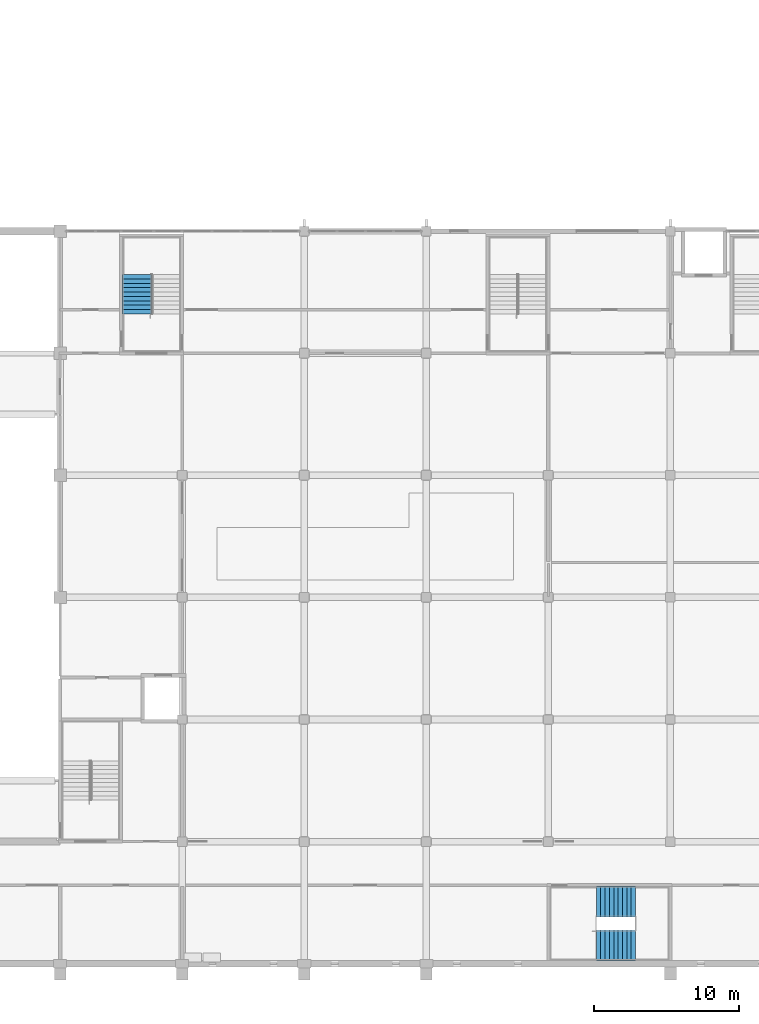
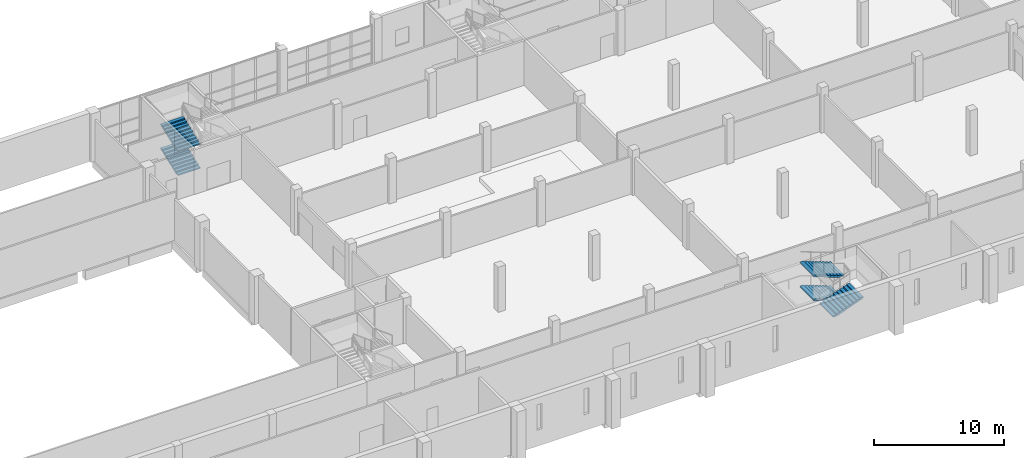
# One storey, part 45 of 64: 5 stair flights, 2 elements without a shape of their own.
"""IFC4 building model written with IfcOpenShell, lengths in metres."""

from ifc_helpers import new_model, si_unit, direction, frame, origin, place, context, subcontext, project, spatial, faceted_brep, material, type_object, element, aggregate, save


model = new_model("IFC4")

# Units and contexts
model_context = context("Model", 3, precision=1e-05, world=origin(), true_north=direction((0.0, 1.0)))
body_context = subcontext(model_context, "Body", "Model", "MODEL_VIEW")
ifc_project = project(units=[si_unit("LENGTHUNIT", "METRE"), si_unit("AREAUNIT", "SQUARE_METRE"), si_unit("VOLUMEUNIT", "CUBIC_METRE"), si_unit("PLANEANGLEUNIT", "RADIAN"), si_unit("MASSUNIT", "GRAM", prefix="KILO")], contexts=[model_context])

# Site, building, storey
site_placement = place(None, origin())
site = spatial("IfcSite", under=ifc_project, at=site_placement, CompositionType="ELEMENT")
building_placement = place(site_placement, origin())
building = spatial("IfcBuilding", under=site, at=building_placement, Name="Rulbaag Community and Learning Centre", CompositionType="ELEMENT")
storey_placement = place(building_placement, frame((0.0, 0.0, 5.39990234375)))
storey = spatial("IfcBuildingStorey", under=building, at=storey_placement, Name="L01", CompositionType="ELEMENT", Elevation=5.39990234375)

# Stair, stair flights
ifc_material = material(Name="Concrete M40", Category="concrete")
stair_type_1 = type_object("IfcStairType", Name="ST-2000 STAIR 2000 WIDE", PredefinedType="HALF_TURN_STAIR", material=ifc_material)
stair_1_placement = place(storey_placement, origin())
stair_1 = element("IfcStair", 1, at=stair_1_placement, inside=storey, type_object=stair_type_1, Name="Stair ST-H6 L01", PredefinedType="HALF_TURN_STAIR")
stair_flight_type_1 = type_object("IfcStairFlightType", Name="FL-2000 FLIGHT 2000 WIDE Concrete M40", PredefinedType="STRAIGHT", material=ifc_material)
stair_flight_1_placement = place(storey_placement, frame((89.300048828125, 44.71240234375, 0.0), z_axis=(0.0, 0.0, 1.0), x_axis=(0.0, 1.0, 0.0)))
stair_flight_1 = element("IfcStairFlight", 2, at=stair_flight_1_placement, type_object=stair_flight_type_1, Name="ST-H6 flight 1", NumberOfRisers=10, NumberOfTreads=9, PredefinedType="STRAIGHT", RiserHeight=0.1125, TreadLength=0.3, context=body_context, shape_type="Brep", body=[
    faceted_brep([(0.3984375, -1.0, 0.0), (2.699951171875, -1.0, 0.863037109375), (2.699951171875, -1.0, 1.012451171875), (2.39990234375, -1.0, 1.012451171875), (2.39990234375, -1.0, 0.89990234375), (2.10009765625, -1.0, 0.89990234375), (2.10009765625, -1.0, 0.78759765625), (1.800048828125, -1.0, 0.78759765625), (1.800048828125, -1.0, 0.675048828125), (1.5, -1.0, 0.675048828125), (1.5, -1.0, 0.5625), (1.199951171875, -1.0, 0.5625), (1.199951171875, -1.0, 0.449951171875), (0.89990234375, -1.0, 0.449951171875), (0.89990234375, -1.0, 0.33740234375), (0.60009765625, -1.0, 0.33740234375), (0.60009765625, -1.0, 0.22509765625), (0.300048828125, -1.0, 0.22509765625), (0.300048828125, -1.0, 0.112548828125), (0.0, -1.0, 0.112548828125), (0.0, -1.0, 0.0), (0.0, 1.0, 0.0), (0.0, 1.0, 0.112548828125), (0.300048828125, 1.0, 0.112548828125), (0.300048828125, 1.0, 0.22509765625), (0.60009765625, 1.0, 0.22509765625), (0.60009765625, 1.0, 0.33740234375), (0.89990234375, 1.0, 0.33740234375), (0.89990234375, 1.0, 0.449951171875), (1.199951171875, 1.0, 0.449951171875), (1.199951171875, 1.0, 0.5625), (1.5, 1.0, 0.5625), (1.5, 1.0, 0.675048828125), (1.800048828125, 1.0, 0.675048828125), (1.800048828125, 1.0, 0.78759765625), (2.10009765625, 1.0, 0.78759765625), (2.10009765625, 1.0, 0.89990234375), (2.39990234375, 1.0, 0.89990234375), (2.39990234375, 1.0, 1.012451171875), (2.699951171875, 1.0, 1.012451171875), (2.699951171875, 1.0, 0.863037109375), (0.3984375, 1.0, 0.0), (0.0, -0.333251953125, 0.112548828125), (0.0, -0.333251953125, 0.0), (0.0, 0.333251953125, 0.112548828125), (0.0, 0.333251953125, 0.0), (0.300048828125, -0.333251953125, 0.112548828125), (0.300048828125, 0.333251953125, 0.112548828125), (0.300048828125, -0.333251953125, 0.22509765625), (0.300048828125, 0.333251953125, 0.22509765625), (0.60009765625, -0.333251953125, 0.22509765625), (0.60009765625, 0.333251953125, 0.22509765625), (0.60009765625, -0.333251953125, 0.33740234375), (0.60009765625, 0.333251953125, 0.33740234375), (0.89990234375, -0.333251953125, 0.33740234375), (0.89990234375, 0.333251953125, 0.33740234375), (0.89990234375, -0.333251953125, 0.449951171875), (0.89990234375, 0.333251953125, 0.449951171875), (1.199951171875, -0.333251953125, 0.449951171875), (1.199951171875, 0.333251953125, 0.449951171875), (1.199951171875, -0.333251953125, 0.5625), (1.199951171875, 0.333251953125, 0.5625), (1.5, -0.333251953125, 0.5625), (1.5, 0.333251953125, 0.5625), (1.5, -0.333251953125, 0.675048828125), (1.5, 0.333251953125, 0.675048828125), (1.800048828125, -0.333251953125, 0.675048828125), (1.800048828125, 0.333251953125, 0.675048828125), (1.800048828125, -0.333251953125, 0.78759765625), (1.800048828125, 0.333251953125, 0.78759765625), (2.10009765625, -0.333251953125, 0.78759765625), (2.10009765625, 0.333251953125, 0.78759765625), (2.10009765625, -0.333251953125, 0.89990234375), (2.10009765625, 0.333251953125, 0.89990234375), (2.39990234375, -0.333251953125, 0.89990234375), (2.39990234375, 0.333251953125, 0.89990234375), (2.39990234375, -0.333251953125, 1.012451171875), (2.39990234375, 0.333251953125, 1.012451171875), (2.699951171875, -0.333251953125, 1.012451171875), (2.699951171875, 0.333251953125, 1.012451171875), (2.699951171875, -0.333251953125, 0.863037109375), (2.699951171875, 0.333251953125, 0.863037109375), (0.3984375, -0.333251953125, 0.0), (0.3984375, 0.333251953125, 0.0)], [[[0, 1, 2, 3, 4, 5, 6, 7, 8, 9, 10, 11, 12, 13, 14, 15, 16, 17, 18, 19, 20]], [[21, 22, 23, 24, 25, 26, 27, 28, 29, 30, 31, 32, 33, 34, 35, 36, 37, 38, 39, 40, 41]], [[20, 19, 42, 43]], [[43, 42, 44, 45]], [[45, 44, 22, 21]], [[19, 18, 46, 42]], [[42, 46, 47, 44]], [[44, 47, 23, 22]], [[18, 17, 48, 46]], [[46, 48, 49, 47]], [[47, 49, 24, 23]], [[17, 16, 50, 48]], [[48, 50, 51, 49]], [[49, 51, 25, 24]], [[16, 15, 52, 50]], [[50, 52, 53, 51]], [[51, 53, 26, 25]], [[15, 14, 54, 52]], [[52, 54, 55, 53]], [[53, 55, 27, 26]], [[14, 13, 56, 54]], [[54, 56, 57, 55]], [[55, 57, 28, 27]], [[13, 12, 58, 56]], [[56, 58, 59, 57]], [[57, 59, 29, 28]], [[12, 11, 60, 58]], [[58, 60, 61, 59]], [[59, 61, 30, 29]], [[11, 10, 62, 60]], [[60, 62, 63, 61]], [[61, 63, 31, 30]], [[10, 9, 64, 62]], [[62, 64, 65, 63]], [[63, 65, 32, 31]], [[9, 8, 66, 64]], [[64, 66, 67, 65]], [[65, 67, 33, 32]], [[8, 7, 68, 66]], [[66, 68, 69, 67]], [[67, 69, 34, 33]], [[7, 6, 70, 68]], [[68, 70, 71, 69]], [[69, 71, 35, 34]], [[6, 5, 72, 70]], [[70, 72, 73, 71]], [[71, 73, 36, 35]], [[5, 4, 74, 72]], [[72, 74, 75, 73]], [[73, 75, 37, 36]], [[4, 3, 76, 74]], [[74, 76, 77, 75]], [[75, 77, 38, 37]], [[3, 2, 78, 76]], [[76, 78, 79, 77]], [[77, 79, 39, 38]], [[2, 1, 80, 78]], [[78, 80, 81, 79]], [[79, 81, 40, 39]], [[1, 0, 82, 80]], [[80, 82, 83, 81]], [[81, 83, 41, 40]], [[0, 20, 43, 82]], [[82, 43, 45, 83]], [[83, 45, 21, 41]]]),
])
stair_flight_2_placement = place(storey_placement, frame((89.300048828125, 44.71240234375, 2.25), z_axis=(0.0, 0.0, 1.0), x_axis=(0.0, 1.0, 0.0)))
stair_flight_2 = element("IfcStairFlight", 3, at=stair_flight_2_placement, type_object=stair_flight_type_1, Name="ST-H6 flight 3", NumberOfRisers=10, NumberOfTreads=9, PredefinedType="STRAIGHT", RiserHeight=0.1125, TreadLength=0.3, context=body_context, shape_type="Brep", body=[
    faceted_brep([(0.3984375, -1.0, 0.0), (2.699951171875, -1.0, 0.863037109375), (2.699951171875, -1.0, 1.012451171875), (2.39990234375, -1.0, 1.012451171875), (2.39990234375, -1.0, 0.89990234375), (2.10009765625, -1.0, 0.89990234375), (2.10009765625, -1.0, 0.78759765625), (1.800048828125, -1.0, 0.78759765625), (1.800048828125, -1.0, 0.675048828125), (1.5, -1.0, 0.675048828125), (1.5, -1.0, 0.5625), (1.199951171875, -1.0, 0.5625), (1.199951171875, -1.0, 0.449951171875), (0.89990234375, -1.0, 0.449951171875), (0.89990234375, -1.0, 0.33740234375), (0.60009765625, -1.0, 0.33740234375), (0.60009765625, -1.0, 0.22509765625), (0.300048828125, -1.0, 0.22509765625), (0.300048828125, -1.0, 0.112548828125), (0.0, -1.0, 0.112548828125), (0.0, -1.0, 0.0), (0.0, 1.0, 0.0), (0.0, 1.0, 0.112548828125), (0.300048828125, 1.0, 0.112548828125), (0.300048828125, 1.0, 0.22509765625), (0.60009765625, 1.0, 0.22509765625), (0.60009765625, 1.0, 0.33740234375), (0.89990234375, 1.0, 0.33740234375), (0.89990234375, 1.0, 0.449951171875), (1.199951171875, 1.0, 0.449951171875), (1.199951171875, 1.0, 0.5625), (1.5, 1.0, 0.5625), (1.5, 1.0, 0.675048828125), (1.800048828125, 1.0, 0.675048828125), (1.800048828125, 1.0, 0.78759765625), (2.10009765625, 1.0, 0.78759765625), (2.10009765625, 1.0, 0.89990234375), (2.39990234375, 1.0, 0.89990234375), (2.39990234375, 1.0, 1.012451171875), (2.699951171875, 1.0, 1.012451171875), (2.699951171875, 1.0, 0.863037109375), (0.3984375, 1.0, 0.0), (0.0, -0.333251953125, 0.112548828125), (0.0, -0.333251953125, 0.0), (0.0, 0.333251953125, 0.112548828125), (0.0, 0.333251953125, 0.0), (0.300048828125, -0.333251953125, 0.112548828125), (0.300048828125, 0.333251953125, 0.112548828125), (0.300048828125, -0.333251953125, 0.22509765625), (0.300048828125, 0.333251953125, 0.22509765625), (0.60009765625, -0.333251953125, 0.22509765625), (0.60009765625, 0.333251953125, 0.22509765625), (0.60009765625, -0.333251953125, 0.33740234375), (0.60009765625, 0.333251953125, 0.33740234375), (0.89990234375, -0.333251953125, 0.33740234375), (0.89990234375, 0.333251953125, 0.33740234375), (0.89990234375, -0.333251953125, 0.449951171875), (0.89990234375, 0.333251953125, 0.449951171875), (1.199951171875, -0.333251953125, 0.449951171875), (1.199951171875, 0.333251953125, 0.449951171875), (1.199951171875, -0.333251953125, 0.5625), (1.199951171875, 0.333251953125, 0.5625), (1.5, -0.333251953125, 0.5625), (1.5, 0.333251953125, 0.5625), (1.5, -0.333251953125, 0.675048828125), (1.5, 0.333251953125, 0.675048828125), (1.800048828125, -0.333251953125, 0.675048828125), (1.800048828125, 0.333251953125, 0.675048828125), (1.800048828125, -0.333251953125, 0.78759765625), (1.800048828125, 0.333251953125, 0.78759765625), (2.10009765625, -0.333251953125, 0.78759765625), (2.10009765625, 0.333251953125, 0.78759765625), (2.10009765625, -0.333251953125, 0.89990234375), (2.10009765625, 0.333251953125, 0.89990234375), (2.39990234375, -0.333251953125, 0.89990234375), (2.39990234375, 0.333251953125, 0.89990234375), (2.39990234375, -0.333251953125, 1.012451171875), (2.39990234375, 0.333251953125, 1.012451171875), (2.699951171875, -0.333251953125, 1.012451171875), (2.699951171875, 0.333251953125, 1.012451171875), (2.699951171875, -0.333251953125, 0.863037109375), (2.699951171875, 0.333251953125, 0.863037109375), (0.3984375, -0.333251953125, 0.0), (0.3984375, 0.333251953125, 0.0)], [[[0, 1, 2, 3, 4, 5, 6, 7, 8, 9, 10, 11, 12, 13, 14, 15, 16, 17, 18, 19, 20]], [[21, 22, 23, 24, 25, 26, 27, 28, 29, 30, 31, 32, 33, 34, 35, 36, 37, 38, 39, 40, 41]], [[20, 19, 42, 43]], [[43, 42, 44, 45]], [[45, 44, 22, 21]], [[19, 18, 46, 42]], [[42, 46, 47, 44]], [[44, 47, 23, 22]], [[18, 17, 48, 46]], [[46, 48, 49, 47]], [[47, 49, 24, 23]], [[17, 16, 50, 48]], [[48, 50, 51, 49]], [[49, 51, 25, 24]], [[16, 15, 52, 50]], [[50, 52, 53, 51]], [[51, 53, 26, 25]], [[15, 14, 54, 52]], [[52, 54, 55, 53]], [[53, 55, 27, 26]], [[14, 13, 56, 54]], [[54, 56, 57, 55]], [[55, 57, 28, 27]], [[13, 12, 58, 56]], [[56, 58, 59, 57]], [[57, 59, 29, 28]], [[12, 11, 60, 58]], [[58, 60, 61, 59]], [[59, 61, 30, 29]], [[11, 10, 62, 60]], [[60, 62, 63, 61]], [[61, 63, 31, 30]], [[10, 9, 64, 62]], [[62, 64, 65, 63]], [[63, 65, 32, 31]], [[9, 8, 66, 64]], [[64, 66, 67, 65]], [[65, 67, 33, 32]], [[8, 7, 68, 66]], [[66, 68, 69, 67]], [[67, 69, 34, 33]], [[7, 6, 70, 68]], [[68, 70, 71, 69]], [[69, 71, 35, 34]], [[6, 5, 72, 70]], [[70, 72, 73, 71]], [[71, 73, 36, 35]], [[5, 4, 74, 72]], [[72, 74, 75, 73]], [[73, 75, 37, 36]], [[4, 3, 76, 74]], [[74, 76, 77, 75]], [[75, 77, 38, 37]], [[3, 2, 78, 76]], [[76, 78, 79, 77]], [[77, 79, 39, 38]], [[2, 1, 80, 78]], [[78, 80, 81, 79]], [[79, 81, 40, 39]], [[1, 0, 82, 80]], [[80, 82, 83, 81]], [[81, 83, 41, 40]], [[0, 20, 43, 82]], [[82, 43, 45, 83]], [[83, 45, 21, 41]]]),
])
aggregate(stair_1, [stair_flight_1, stair_flight_2])

stair_type_2 = type_object("IfcStairType", Name="ST-2100 STAIR 2100 WIDE", PredefinedType="HALF_TURN_STAIR", material=ifc_material)
stair_2_placement = place(storey_placement, origin())
stair_2 = element("IfcStair", 4, at=stair_2_placement, inside=storey, type_object=stair_type_2, Name="Stair ST-H11 L01", PredefinedType="HALF_TURN_STAIR")
stair_flight_type_2 = type_object("IfcStairFlightType", Name="FL-2100 FLIGHT 2100 WIDE Concrete M40", PredefinedType="STRAIGHT", material=ifc_material)
stair_flight_3_placement = place(storey_placement, frame((123.60009765625, 4.25, 1.125), z_axis=(0.0, 0.0, 1.0), x_axis=(-1.0, 0.0, 0.0)))
stair_flight_3 = element("IfcStairFlight", 5, at=stair_flight_3_placement, type_object=stair_flight_type_2, Name="ST-H11 flight 2", NumberOfRisers=10, NumberOfTreads=9, PredefinedType="STRAIGHT", RiserHeight=0.1125, TreadLength=0.3, context=body_context, shape_type="Brep", body=[
    faceted_brep([(0.3984375, -1.050048828125, 0.0), (2.699951171875, -1.050048828125, 0.863037109375), (2.699951171875, -1.050048828125, 1.012451171875), (2.39990234375, -1.050048828125, 1.012451171875), (2.39990234375, -1.050048828125, 0.89990234375), (2.10009765625, -1.050048828125, 0.89990234375), (2.10009765625, -1.050048828125, 0.78759765625), (1.800048828125, -1.050048828125, 0.78759765625), (1.800048828125, -1.050048828125, 0.675048828125), (1.5, -1.050048828125, 0.675048828125), (1.5, -1.050048828125, 0.5625), (1.199951171875, -1.050048828125, 0.5625), (1.199951171875, -1.050048828125, 0.449951171875), (0.89990234375, -1.050048828125, 0.449951171875), (0.89990234375, -1.050048828125, 0.33740234375), (0.60009765625, -1.050048828125, 0.33740234375), (0.60009765625, -1.050048828125, 0.22509765625), (0.300048828125, -1.050048828125, 0.22509765625), (0.300048828125, -1.050048828125, 0.112548828125), (0.0, -1.050048828125, 0.112548828125), (0.0, -1.050048828125, 0.0), (0.0, 1.050048828125, 0.0), (0.0, 1.050048828125, 0.112548828125), (0.300048828125, 1.050048828125, 0.112548828125), (0.300048828125, 1.050048828125, 0.22509765625), (0.60009765625, 1.050048828125, 0.22509765625), (0.60009765625, 1.050048828125, 0.33740234375), (0.89990234375, 1.050048828125, 0.33740234375), (0.89990234375, 1.050048828125, 0.449951171875), (1.199951171875, 1.050048828125, 0.449951171875), (1.199951171875, 1.050048828125, 0.5625), (1.5, 1.050048828125, 0.5625), (1.5, 1.050048828125, 0.675048828125), (1.800048828125, 1.050048828125, 0.675048828125), (1.800048828125, 1.050048828125, 0.78759765625), (2.10009765625, 1.050048828125, 0.78759765625), (2.10009765625, 1.050048828125, 0.89990234375), (2.39990234375, 1.050048828125, 0.89990234375), (2.39990234375, 1.050048828125, 1.012451171875), (2.699951171875, 1.050048828125, 1.012451171875), (2.699951171875, 1.050048828125, 0.863037109375), (0.3984375, 1.050048828125, 0.0), (0.0, -0.52490234375, 0.112548828125), (0.0, -0.52490234375, 0.0), (0.0, 0.0, 0.112548828125), (0.0, 0.0, 0.0), (0.0, 0.52490234375, 0.112548828125), (0.0, 0.52490234375, 0.0), (0.300048828125, -0.52490234375, 0.112548828125), (0.300048828125, 0.0, 0.112548828125), (0.300048828125, 0.52490234375, 0.112548828125), (0.300048828125, -0.52490234375, 0.22509765625), (0.300048828125, 0.0, 0.22509765625), (0.300048828125, 0.52490234375, 0.22509765625), (0.60009765625, -0.52490234375, 0.22509765625), (0.60009765625, 0.0, 0.22509765625), (0.60009765625, 0.52490234375, 0.22509765625), (0.60009765625, -0.52490234375, 0.33740234375), (0.60009765625, 0.0, 0.33740234375), (0.60009765625, 0.52490234375, 0.33740234375), (0.89990234375, -0.52490234375, 0.33740234375), (0.89990234375, 0.0, 0.33740234375), (0.89990234375, 0.52490234375, 0.33740234375), (0.89990234375, -0.52490234375, 0.449951171875), (0.89990234375, 0.0, 0.449951171875), (0.89990234375, 0.52490234375, 0.449951171875), (1.199951171875, -0.52490234375, 0.449951171875), (1.199951171875, 0.0, 0.449951171875), (1.199951171875, 0.52490234375, 0.449951171875), (1.199951171875, -0.52490234375, 0.5625), (1.199951171875, 0.0, 0.5625), (1.199951171875, 0.52490234375, 0.5625), (1.5, -0.52490234375, 0.5625), (1.5, 0.0, 0.5625), (1.5, 0.52490234375, 0.5625), (1.5, -0.52490234375, 0.675048828125), (1.5, 0.0, 0.675048828125), (1.5, 0.52490234375, 0.675048828125), (1.800048828125, -0.52490234375, 0.675048828125), (1.800048828125, 0.0, 0.675048828125), (1.800048828125, 0.52490234375, 0.675048828125), (1.800048828125, -0.52490234375, 0.78759765625), (1.800048828125, 0.0, 0.78759765625), (1.800048828125, 0.52490234375, 0.78759765625), (2.10009765625, -0.52490234375, 0.78759765625), (2.10009765625, 0.0, 0.78759765625), (2.10009765625, 0.52490234375, 0.78759765625), (2.10009765625, -0.52490234375, 0.89990234375), (2.10009765625, 0.0, 0.89990234375), (2.10009765625, 0.52490234375, 0.89990234375), (2.39990234375, -0.52490234375, 0.89990234375), (2.39990234375, 0.0, 0.89990234375), (2.39990234375, 0.52490234375, 0.89990234375), (2.39990234375, -0.52490234375, 1.012451171875), (2.39990234375, 0.0, 1.012451171875), (2.39990234375, 0.52490234375, 1.012451171875), (2.699951171875, -0.52490234375, 1.012451171875), (2.699951171875, 0.0, 1.012451171875), (2.699951171875, 0.52490234375, 1.012451171875), (2.699951171875, -0.52490234375, 0.863037109375), (2.699951171875, 0.0, 0.863037109375), (2.699951171875, 0.52490234375, 0.863037109375), (0.3984375, -0.52490234375, 0.0), (0.3984375, 0.0, 0.0), (0.3984375, 0.52490234375, 0.0)], [[[0, 1, 2, 3, 4, 5, 6, 7, 8, 9, 10, 11, 12, 13, 14, 15, 16, 17, 18, 19, 20]], [[21, 22, 23, 24, 25, 26, 27, 28, 29, 30, 31, 32, 33, 34, 35, 36, 37, 38, 39, 40, 41]], [[20, 19, 42, 43]], [[43, 42, 44, 45]], [[45, 44, 46, 47]], [[47, 46, 22, 21]], [[19, 18, 48, 42]], [[42, 48, 49, 44]], [[44, 49, 50, 46]], [[46, 50, 23, 22]], [[18, 17, 51, 48]], [[48, 51, 52, 49]], [[49, 52, 53, 50]], [[50, 53, 24, 23]], [[17, 16, 54, 51]], [[51, 54, 55, 52]], [[52, 55, 56, 53]], [[53, 56, 25, 24]], [[16, 15, 57, 54]], [[54, 57, 58, 55]], [[55, 58, 59, 56]], [[56, 59, 26, 25]], [[15, 14, 60, 57]], [[57, 60, 61, 58]], [[58, 61, 62, 59]], [[59, 62, 27, 26]], [[14, 13, 63, 60]], [[60, 63, 64, 61]], [[61, 64, 65, 62]], [[62, 65, 28, 27]], [[13, 12, 66, 63]], [[63, 66, 67, 64]], [[64, 67, 68, 65]], [[65, 68, 29, 28]], [[12, 11, 69, 66]], [[66, 69, 70, 67]], [[67, 70, 71, 68]], [[68, 71, 30, 29]], [[11, 10, 72, 69]], [[69, 72, 73, 70]], [[70, 73, 74, 71]], [[71, 74, 31, 30]], [[10, 9, 75, 72]], [[72, 75, 76, 73]], [[73, 76, 77, 74]], [[74, 77, 32, 31]], [[9, 8, 78, 75]], [[75, 78, 79, 76]], [[76, 79, 80, 77]], [[77, 80, 33, 32]], [[8, 7, 81, 78]], [[78, 81, 82, 79]], [[79, 82, 83, 80]], [[80, 83, 34, 33]], [[7, 6, 84, 81]], [[81, 84, 85, 82]], [[82, 85, 86, 83]], [[83, 86, 35, 34]], [[6, 5, 87, 84]], [[84, 87, 88, 85]], [[85, 88, 89, 86]], [[86, 89, 36, 35]], [[5, 4, 90, 87]], [[87, 90, 91, 88]], [[88, 91, 92, 89]], [[89, 92, 37, 36]], [[4, 3, 93, 90]], [[90, 93, 94, 91]], [[91, 94, 95, 92]], [[92, 95, 38, 37]], [[3, 2, 96, 93]], [[93, 96, 97, 94]], [[94, 97, 98, 95]], [[95, 98, 39, 38]], [[2, 1, 99, 96]], [[96, 99, 100, 97]], [[97, 100, 101, 98]], [[98, 101, 40, 39]], [[1, 0, 102, 99]], [[99, 102, 103, 100]], [[100, 103, 104, 101]], [[101, 104, 41, 40]], [[0, 20, 43, 102]], [[102, 43, 45, 103]], [[103, 45, 47, 104]], [[104, 47, 21, 41]]]),
])
stair_flight_4_placement = place(storey_placement, frame((120.89990234375, 1.27490234375, 2.25), z_axis=(0.0, 0.0, 1.0), x_axis=(1.0, 0.0, 0.0)))
stair_flight_4 = element("IfcStairFlight", 6, at=stair_flight_4_placement, type_object=stair_flight_type_2, Name="ST-H11 flight 3", NumberOfRisers=10, NumberOfTreads=9, PredefinedType="STRAIGHT", RiserHeight=0.1125, TreadLength=0.3, context=body_context, shape_type="Brep", body=[
    faceted_brep([(0.3984375, -1.050048828125, 0.0), (2.699951171875, -1.050048828125, 0.863037109375), (2.699951171875, -1.050048828125, 1.012451171875), (2.39990234375, -1.050048828125, 1.012451171875), (2.39990234375, -1.050048828125, 0.89990234375), (2.10009765625, -1.050048828125, 0.89990234375), (2.10009765625, -1.050048828125, 0.78759765625), (1.800048828125, -1.050048828125, 0.78759765625), (1.800048828125, -1.050048828125, 0.675048828125), (1.5, -1.050048828125, 0.675048828125), (1.5, -1.050048828125, 0.5625), (1.199951171875, -1.050048828125, 0.5625), (1.199951171875, -1.050048828125, 0.449951171875), (0.89990234375, -1.050048828125, 0.449951171875), (0.89990234375, -1.050048828125, 0.33740234375), (0.60009765625, -1.050048828125, 0.33740234375), (0.60009765625, -1.050048828125, 0.22509765625), (0.300048828125, -1.050048828125, 0.22509765625), (0.300048828125, -1.050048828125, 0.112548828125), (0.0, -1.050048828125, 0.112548828125), (0.0, -1.050048828125, 0.0), (0.0, 1.050048828125, 0.0), (0.0, 1.050048828125, 0.112548828125), (0.300048828125, 1.050048828125, 0.112548828125), (0.300048828125, 1.050048828125, 0.22509765625), (0.60009765625, 1.050048828125, 0.22509765625), (0.60009765625, 1.050048828125, 0.33740234375), (0.89990234375, 1.050048828125, 0.33740234375), (0.89990234375, 1.050048828125, 0.449951171875), (1.199951171875, 1.050048828125, 0.449951171875), (1.199951171875, 1.050048828125, 0.5625), (1.5, 1.050048828125, 0.5625), (1.5, 1.050048828125, 0.675048828125), (1.800048828125, 1.050048828125, 0.675048828125), (1.800048828125, 1.050048828125, 0.78759765625), (2.10009765625, 1.050048828125, 0.78759765625), (2.10009765625, 1.050048828125, 0.89990234375), (2.39990234375, 1.050048828125, 0.89990234375), (2.39990234375, 1.050048828125, 1.012451171875), (2.699951171875, 1.050048828125, 1.012451171875), (2.699951171875, 1.050048828125, 0.863037109375), (0.3984375, 1.050048828125, 0.0), (0.0, -0.52490234375, 0.112548828125), (0.0, -0.52490234375, 0.0), (0.0, 0.0, 0.112548828125), (0.0, 0.0, 0.0), (0.0, 0.52490234375, 0.112548828125), (0.0, 0.52490234375, 0.0), (0.300048828125, -0.52490234375, 0.112548828125), (0.300048828125, 0.0, 0.112548828125), (0.300048828125, 0.52490234375, 0.112548828125), (0.300048828125, -0.52490234375, 0.22509765625), (0.300048828125, 0.0, 0.22509765625), (0.300048828125, 0.52490234375, 0.22509765625), (0.60009765625, -0.52490234375, 0.22509765625), (0.60009765625, 0.0, 0.22509765625), (0.60009765625, 0.52490234375, 0.22509765625), (0.60009765625, -0.52490234375, 0.33740234375), (0.60009765625, 0.0, 0.33740234375), (0.60009765625, 0.52490234375, 0.33740234375), (0.89990234375, -0.52490234375, 0.33740234375), (0.89990234375, 0.0, 0.33740234375), (0.89990234375, 0.52490234375, 0.33740234375), (0.89990234375, -0.52490234375, 0.449951171875), (0.89990234375, 0.0, 0.449951171875), (0.89990234375, 0.52490234375, 0.449951171875), (1.199951171875, -0.52490234375, 0.449951171875), (1.199951171875, 0.0, 0.449951171875), (1.199951171875, 0.52490234375, 0.449951171875), (1.199951171875, -0.52490234375, 0.5625), (1.199951171875, 0.0, 0.5625), (1.199951171875, 0.52490234375, 0.5625), (1.5, -0.52490234375, 0.5625), (1.5, 0.0, 0.5625), (1.5, 0.52490234375, 0.5625), (1.5, -0.52490234375, 0.675048828125), (1.5, 0.0, 0.675048828125), (1.5, 0.52490234375, 0.675048828125), (1.800048828125, -0.52490234375, 0.675048828125), (1.800048828125, 0.0, 0.675048828125), (1.800048828125, 0.52490234375, 0.675048828125), (1.800048828125, -0.52490234375, 0.78759765625), (1.800048828125, 0.0, 0.78759765625), (1.800048828125, 0.52490234375, 0.78759765625), (2.10009765625, -0.52490234375, 0.78759765625), (2.10009765625, 0.0, 0.78759765625), (2.10009765625, 0.52490234375, 0.78759765625), (2.10009765625, -0.52490234375, 0.89990234375), (2.10009765625, 0.0, 0.89990234375), (2.10009765625, 0.52490234375, 0.89990234375), (2.39990234375, -0.52490234375, 0.89990234375), (2.39990234375, 0.0, 0.89990234375), (2.39990234375, 0.52490234375, 0.89990234375), (2.39990234375, -0.52490234375, 1.012451171875), (2.39990234375, 0.0, 1.012451171875), (2.39990234375, 0.52490234375, 1.012451171875), (2.699951171875, -0.52490234375, 1.012451171875), (2.699951171875, 0.0, 1.012451171875), (2.699951171875, 0.52490234375, 1.012451171875), (2.699951171875, -0.52490234375, 0.863037109375), (2.699951171875, 0.0, 0.863037109375), (2.699951171875, 0.52490234375, 0.863037109375), (0.3984375, -0.52490234375, 0.0), (0.3984375, 0.0, 0.0), (0.3984375, 0.52490234375, 0.0)], [[[0, 1, 2, 3, 4, 5, 6, 7, 8, 9, 10, 11, 12, 13, 14, 15, 16, 17, 18, 19, 20]], [[21, 22, 23, 24, 25, 26, 27, 28, 29, 30, 31, 32, 33, 34, 35, 36, 37, 38, 39, 40, 41]], [[20, 19, 42, 43]], [[43, 42, 44, 45]], [[45, 44, 46, 47]], [[47, 46, 22, 21]], [[19, 18, 48, 42]], [[42, 48, 49, 44]], [[44, 49, 50, 46]], [[46, 50, 23, 22]], [[18, 17, 51, 48]], [[48, 51, 52, 49]], [[49, 52, 53, 50]], [[50, 53, 24, 23]], [[17, 16, 54, 51]], [[51, 54, 55, 52]], [[52, 55, 56, 53]], [[53, 56, 25, 24]], [[16, 15, 57, 54]], [[54, 57, 58, 55]], [[55, 58, 59, 56]], [[56, 59, 26, 25]], [[15, 14, 60, 57]], [[57, 60, 61, 58]], [[58, 61, 62, 59]], [[59, 62, 27, 26]], [[14, 13, 63, 60]], [[60, 63, 64, 61]], [[61, 64, 65, 62]], [[62, 65, 28, 27]], [[13, 12, 66, 63]], [[63, 66, 67, 64]], [[64, 67, 68, 65]], [[65, 68, 29, 28]], [[12, 11, 69, 66]], [[66, 69, 70, 67]], [[67, 70, 71, 68]], [[68, 71, 30, 29]], [[11, 10, 72, 69]], [[69, 72, 73, 70]], [[70, 73, 74, 71]], [[71, 74, 31, 30]], [[10, 9, 75, 72]], [[72, 75, 76, 73]], [[73, 76, 77, 74]], [[74, 77, 32, 31]], [[9, 8, 78, 75]], [[75, 78, 79, 76]], [[76, 79, 80, 77]], [[77, 80, 33, 32]], [[8, 7, 81, 78]], [[78, 81, 82, 79]], [[79, 82, 83, 80]], [[80, 83, 34, 33]], [[7, 6, 84, 81]], [[81, 84, 85, 82]], [[82, 85, 86, 83]], [[83, 86, 35, 34]], [[6, 5, 87, 84]], [[84, 87, 88, 85]], [[85, 88, 89, 86]], [[86, 89, 36, 35]], [[5, 4, 90, 87]], [[87, 90, 91, 88]], [[88, 91, 92, 89]], [[89, 92, 37, 36]], [[4, 3, 93, 90]], [[90, 93, 94, 91]], [[91, 94, 95, 92]], [[92, 95, 38, 37]], [[3, 2, 96, 93]], [[93, 96, 97, 94]], [[94, 97, 98, 95]], [[95, 98, 39, 38]], [[2, 1, 99, 96]], [[96, 99, 100, 97]], [[97, 100, 101, 98]], [[98, 101, 40, 39]], [[1, 0, 102, 99]], [[99, 102, 103, 100]], [[100, 103, 104, 101]], [[101, 104, 41, 40]], [[0, 20, 43, 102]], [[102, 43, 45, 103]], [[103, 45, 47, 104]], [[104, 47, 21, 41]]]),
])
stair_flight_5_placement = place(storey_placement, frame((123.60009765625, 4.25, 3.375), z_axis=(0.0, 0.0, 1.0), x_axis=(-1.0, 0.0, 0.0)))
stair_flight_5 = element("IfcStairFlight", 7, at=stair_flight_5_placement, type_object=stair_flight_type_2, Name="ST-H11 flight 4", NumberOfRisers=10, NumberOfTreads=9, PredefinedType="STRAIGHT", RiserHeight=0.1125, TreadLength=0.3, context=body_context, shape_type="Brep", body=[
    faceted_brep([(0.3984375, -1.050048828125, 0.0), (2.699951171875, -1.050048828125, 0.863037109375), (2.699951171875, -1.050048828125, 1.012451171875), (2.39990234375, -1.050048828125, 1.012451171875), (2.39990234375, -1.050048828125, 0.89990234375), (2.10009765625, -1.050048828125, 0.89990234375), (2.10009765625, -1.050048828125, 0.78759765625), (1.800048828125, -1.050048828125, 0.78759765625), (1.800048828125, -1.050048828125, 0.675048828125), (1.5, -1.050048828125, 0.675048828125), (1.5, -1.050048828125, 0.5625), (1.199951171875, -1.050048828125, 0.5625), (1.199951171875, -1.050048828125, 0.449951171875), (0.89990234375, -1.050048828125, 0.449951171875), (0.89990234375, -1.050048828125, 0.33740234375), (0.60009765625, -1.050048828125, 0.33740234375), (0.60009765625, -1.050048828125, 0.22509765625), (0.300048828125, -1.050048828125, 0.22509765625), (0.300048828125, -1.050048828125, 0.112548828125), (0.0, -1.050048828125, 0.112548828125), (0.0, -1.050048828125, 0.0), (0.0, 1.050048828125, 0.0), (0.0, 1.050048828125, 0.112548828125), (0.300048828125, 1.050048828125, 0.112548828125), (0.300048828125, 1.050048828125, 0.22509765625), (0.60009765625, 1.050048828125, 0.22509765625), (0.60009765625, 1.050048828125, 0.33740234375), (0.89990234375, 1.050048828125, 0.33740234375), (0.89990234375, 1.050048828125, 0.449951171875), (1.199951171875, 1.050048828125, 0.449951171875), (1.199951171875, 1.050048828125, 0.5625), (1.5, 1.050048828125, 0.5625), (1.5, 1.050048828125, 0.675048828125), (1.800048828125, 1.050048828125, 0.675048828125), (1.800048828125, 1.050048828125, 0.78759765625), (2.10009765625, 1.050048828125, 0.78759765625), (2.10009765625, 1.050048828125, 0.89990234375), (2.39990234375, 1.050048828125, 0.89990234375), (2.39990234375, 1.050048828125, 1.012451171875), (2.699951171875, 1.050048828125, 1.012451171875), (2.699951171875, 1.050048828125, 0.863037109375), (0.3984375, 1.050048828125, 0.0), (0.0, -0.52490234375, 0.112548828125), (0.0, -0.52490234375, 0.0), (0.0, 0.0, 0.112548828125), (0.0, 0.0, 0.0), (0.0, 0.52490234375, 0.112548828125), (0.0, 0.52490234375, 0.0), (0.300048828125, -0.52490234375, 0.112548828125), (0.300048828125, 0.0, 0.112548828125), (0.300048828125, 0.52490234375, 0.112548828125), (0.300048828125, -0.52490234375, 0.22509765625), (0.300048828125, 0.0, 0.22509765625), (0.300048828125, 0.52490234375, 0.22509765625), (0.60009765625, -0.52490234375, 0.22509765625), (0.60009765625, 0.0, 0.22509765625), (0.60009765625, 0.52490234375, 0.22509765625), (0.60009765625, -0.52490234375, 0.33740234375), (0.60009765625, 0.0, 0.33740234375), (0.60009765625, 0.52490234375, 0.33740234375), (0.89990234375, -0.52490234375, 0.33740234375), (0.89990234375, 0.0, 0.33740234375), (0.89990234375, 0.52490234375, 0.33740234375), (0.89990234375, -0.52490234375, 0.449951171875), (0.89990234375, 0.0, 0.449951171875), (0.89990234375, 0.52490234375, 0.449951171875), (1.199951171875, -0.52490234375, 0.449951171875), (1.199951171875, 0.0, 0.449951171875), (1.199951171875, 0.52490234375, 0.449951171875), (1.199951171875, -0.52490234375, 0.5625), (1.199951171875, 0.0, 0.5625), (1.199951171875, 0.52490234375, 0.5625), (1.5, -0.52490234375, 0.5625), (1.5, 0.0, 0.5625), (1.5, 0.52490234375, 0.5625), (1.5, -0.52490234375, 0.675048828125), (1.5, 0.0, 0.675048828125), (1.5, 0.52490234375, 0.675048828125), (1.800048828125, -0.52490234375, 0.675048828125), (1.800048828125, 0.0, 0.675048828125), (1.800048828125, 0.52490234375, 0.675048828125), (1.800048828125, -0.52490234375, 0.78759765625), (1.800048828125, 0.0, 0.78759765625), (1.800048828125, 0.52490234375, 0.78759765625), (2.10009765625, -0.52490234375, 0.78759765625), (2.10009765625, 0.0, 0.78759765625), (2.10009765625, 0.52490234375, 0.78759765625), (2.10009765625, -0.52490234375, 0.89990234375), (2.10009765625, 0.0, 0.89990234375), (2.10009765625, 0.52490234375, 0.89990234375), (2.39990234375, -0.52490234375, 0.89990234375), (2.39990234375, 0.0, 0.89990234375), (2.39990234375, 0.52490234375, 0.89990234375), (2.39990234375, -0.52490234375, 1.012451171875), (2.39990234375, 0.0, 1.012451171875), (2.39990234375, 0.52490234375, 1.012451171875), (2.699951171875, -0.52490234375, 1.012451171875), (2.699951171875, 0.0, 1.012451171875), (2.699951171875, 0.52490234375, 1.012451171875), (2.699951171875, -0.52490234375, 0.863037109375), (2.699951171875, 0.0, 0.863037109375), (2.699951171875, 0.52490234375, 0.863037109375), (0.3984375, -0.52490234375, 0.0), (0.3984375, 0.0, 0.0), (0.3984375, 0.52490234375, 0.0)], [[[0, 1, 2, 3, 4, 5, 6, 7, 8, 9, 10, 11, 12, 13, 14, 15, 16, 17, 18, 19, 20]], [[21, 22, 23, 24, 25, 26, 27, 28, 29, 30, 31, 32, 33, 34, 35, 36, 37, 38, 39, 40, 41]], [[20, 19, 42, 43]], [[43, 42, 44, 45]], [[45, 44, 46, 47]], [[47, 46, 22, 21]], [[19, 18, 48, 42]], [[42, 48, 49, 44]], [[44, 49, 50, 46]], [[46, 50, 23, 22]], [[18, 17, 51, 48]], [[48, 51, 52, 49]], [[49, 52, 53, 50]], [[50, 53, 24, 23]], [[17, 16, 54, 51]], [[51, 54, 55, 52]], [[52, 55, 56, 53]], [[53, 56, 25, 24]], [[16, 15, 57, 54]], [[54, 57, 58, 55]], [[55, 58, 59, 56]], [[56, 59, 26, 25]], [[15, 14, 60, 57]], [[57, 60, 61, 58]], [[58, 61, 62, 59]], [[59, 62, 27, 26]], [[14, 13, 63, 60]], [[60, 63, 64, 61]], [[61, 64, 65, 62]], [[62, 65, 28, 27]], [[13, 12, 66, 63]], [[63, 66, 67, 64]], [[64, 67, 68, 65]], [[65, 68, 29, 28]], [[12, 11, 69, 66]], [[66, 69, 70, 67]], [[67, 70, 71, 68]], [[68, 71, 30, 29]], [[11, 10, 72, 69]], [[69, 72, 73, 70]], [[70, 73, 74, 71]], [[71, 74, 31, 30]], [[10, 9, 75, 72]], [[72, 75, 76, 73]], [[73, 76, 77, 74]], [[74, 77, 32, 31]], [[9, 8, 78, 75]], [[75, 78, 79, 76]], [[76, 79, 80, 77]], [[77, 80, 33, 32]], [[8, 7, 81, 78]], [[78, 81, 82, 79]], [[79, 82, 83, 80]], [[80, 83, 34, 33]], [[7, 6, 84, 81]], [[81, 84, 85, 82]], [[82, 85, 86, 83]], [[83, 86, 35, 34]], [[6, 5, 87, 84]], [[84, 87, 88, 85]], [[85, 88, 89, 86]], [[86, 89, 36, 35]], [[5, 4, 90, 87]], [[87, 90, 91, 88]], [[88, 91, 92, 89]], [[89, 92, 37, 36]], [[4, 3, 93, 90]], [[90, 93, 94, 91]], [[91, 94, 95, 92]], [[92, 95, 38, 37]], [[3, 2, 96, 93]], [[93, 96, 97, 94]], [[94, 97, 98, 95]], [[95, 98, 39, 38]], [[2, 1, 99, 96]], [[96, 99, 100, 97]], [[97, 100, 101, 98]], [[98, 101, 40, 39]], [[1, 0, 102, 99]], [[99, 102, 103, 100]], [[100, 103, 104, 101]], [[101, 104, 41, 40]], [[0, 20, 43, 102]], [[102, 43, 45, 103]], [[103, 45, 47, 104]], [[104, 47, 21, 41]]]),
])
aggregate(stair_2, [stair_flight_3, stair_flight_4, stair_flight_5])

save(model, "model.ifc")
